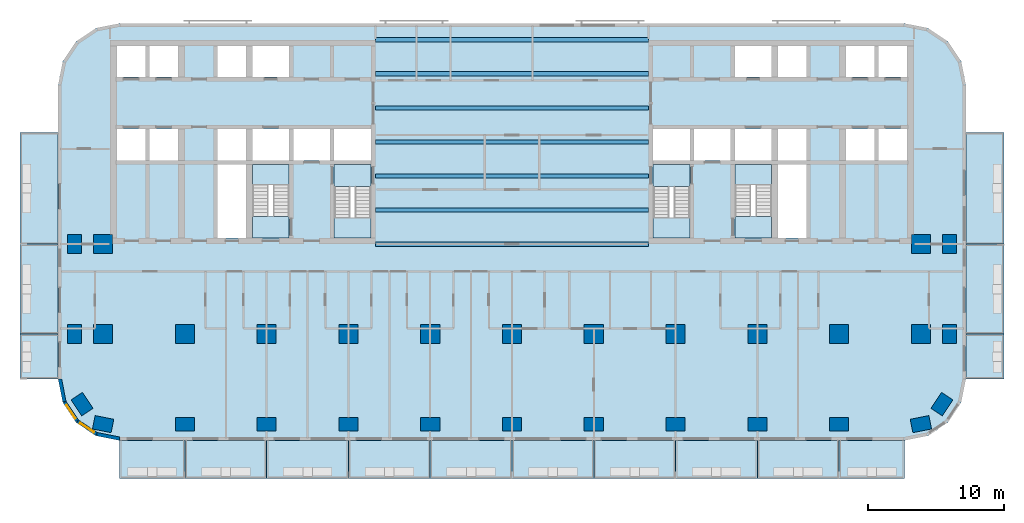
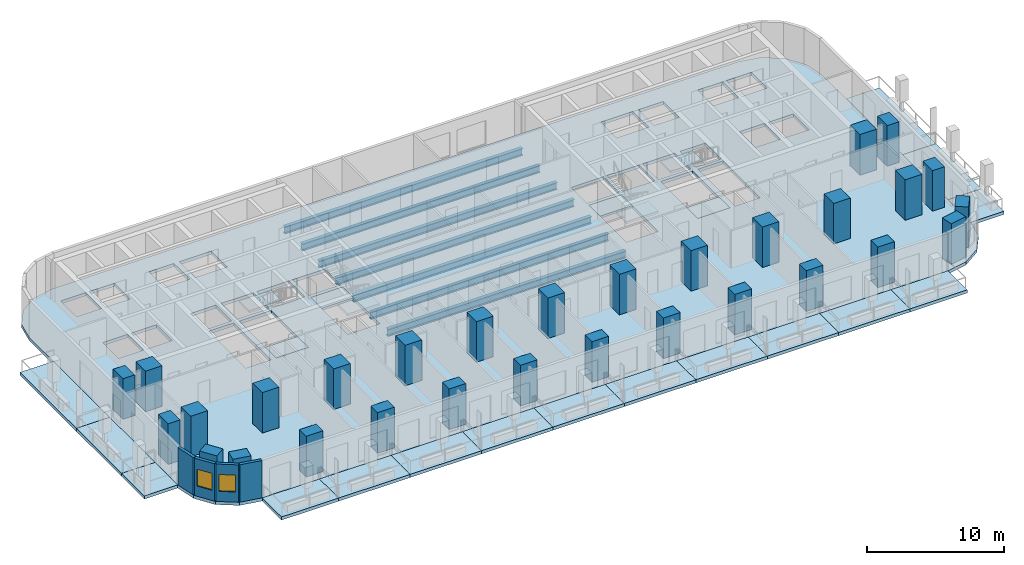
# One storey, part 1 of 13: 30 columns, 25 slabs, 7 beams, 4 walls, 2 windows, 2 openings, 4 elements without a shape of their own.
"""IFC4 building model written with IfcOpenShell, lengths in metres."""

from ifc_helpers import new_model, si_unit, direction, frame, frame_2d, origin, origin_2d, place, context, subcontext, project, spatial, polyline, rectangle, i_section, outline, extrude, material, layer, layer_set, material_profile, profile_set, type_object, element, fill, aggregate, save


model = new_model("IFC4")

# Units and contexts
model_context = context("Model", 3, precision=1e-05, world=origin(), true_north=direction((0.0, 1.0)))
body_context = subcontext(model_context, "Body", "Model", "MODEL_VIEW")
ifc_project = project(units=[si_unit("LENGTHUNIT", "METRE"), si_unit("AREAUNIT", "SQUARE_METRE"), si_unit("VOLUMEUNIT", "CUBIC_METRE"), si_unit("PLANEANGLEUNIT", "RADIAN"), si_unit("MASSUNIT", "GRAM", prefix="KILO")], contexts=[model_context])

# Site, building, storey
site_placement = place(None, origin())
site = spatial("IfcSite", under=ifc_project, at=site_placement, CompositionType="ELEMENT")
building_placement = place(site_placement, origin())
building = spatial("IfcBuilding", under=site, at=building_placement, Name="Torana Hotel and Residences", CompositionType="ELEMENT")
storey_placement = place(building_placement, frame((0.0, 0.0, 56.39990234375)))
storey = spatial("IfcBuildingStorey", under=building, at=storey_placement, Name="L13", CompositionType="ELEMENT", Elevation=56.39990234375)

# Columns
ifc_material_1 = material(Name="Concrete C70/85", Category="concrete")
ifc_material_profile_1 = material_profile(ifc_material_1, rectangle(XDim=1.39990234375, YDim=1.0, at=origin_2d()), Name="RC 1400x1000")
ifc_profile_set_1 = profile_set([ifc_material_profile_1], Name="Concrete C70/85")
column_type_1 = type_object("IfcColumnType", Name="COLUMN RC 1400x1000 C70/85", PredefinedType="COLUMN", material=ifc_profile_set_1)
for number, where, z_axis, x_axis, name in (
    (1, (-32.10009765625, -21.60009765625, 0.0), (0.0, 0.0, 1.0), (0.0, 1.0, 0.0), "Column L13"),
    (2, (-32.10009765625, -15.0, 0.0), (0.0, 0.0, 1.0), (0.0, 1.0, 0.0), "Column L13"),
    (3, (-31.5439453125, -26.73291015625, 0.0), (0.0, 0.0, 1.0), (-0.555584744817, 0.831459915646, 0.0), "Column L13"),
    (4, (-30.0, -28.199951171875, 0.0), (0.0, 0.0, 1.0), (-0.980792089743, 0.195056086032, 0.0), "Column L13"),
    (5, (-24.0, -28.199951171875, 0.0), (0.0, 0.0, 1.0), (1.0, 0.0, 0.0), "Column L13"),
    (6, (-18.0, -28.199951171875, 0.0), (0.0, 0.0, 1.0), (1.0, 0.0, 0.0), "Column L13"),
    (7, (-12.0, -28.199951171875, 0.0), (0.0, 0.0, 1.0), (1.0, 0.0, 0.0), "Column L13"),
    (8, (-6.0, -28.199951171875, 0.0), (0.0, 0.0, 1.0), (1.0, 0.0, 0.0), "Column L13"),
    (9, (0.0, -28.199951171875, 0.0), (0.0, 0.0, 1.0), (1.0, 0.0, 0.0), "Column L13"),
    (10, (6.0, -28.199951171875, 0.0), (0.0, 0.0, 1.0), (1.0, 0.0, 0.0), "Column L13"),
    (11, (12.0, -28.199951171875, 0.0), (0.0, 0.0, 1.0), (1.0, 0.0, 0.0), "Column L13"),
    (12, (18.0, -28.199951171875, 0.0), (0.0, 0.0, 1.0), (1.0, 0.0, 0.0), "Column L13"),
    (13, (24.0, -28.199951171875, 0.0), (0.0, 0.0, 1.0), (1.0, 0.0, 0.0), "Column L13"),
    (14, (30.0, -28.199951171875, 0.0), (0.0, 0.0, 1.0), (0.980792089743, 0.195056086032, 0.0), "Column L13"),
    (15, (31.5439453125, -26.73291015625, 0.0), (0.0, 0.0, 1.0), (0.555584744817, 0.831459915646, 0.0), "Column L13"),
    (16, (32.10009765625, -21.60009765625, 0.0), (0.0, 0.0, 1.0), (0.0, 1.0, 0.0), "Column L13"),
    (17, (32.10009765625, -15.0, 0.0), (0.0, 0.0, 1.0), (0.0, 1.0, 0.0), "Column L13"),
):
    element("IfcColumn", number, at=place(storey_placement, frame(where, z_axis=z_axis, x_axis=x_axis)), inside=storey, type_object=column_type_1, Name=name, PredefinedType="COLUMN", context=body_context, shape_type="SweptSolid", body=[
        extrude(rectangle(XDim=1.39990234375, YDim=1.0, at=origin_2d()), origin(), (0.0, 0.0, 1.0), 3.60009765625),
    ])
ifc_material_2 = material(Name="Concrete C70/85", Category="concrete")
ifc_material_profile_2 = material_profile(ifc_material_2, rectangle(XDim=1.39990234375, YDim=1.39990234375, at=origin_2d()), Name="RC 1400x1400")
ifc_profile_set_2 = profile_set([ifc_material_profile_2], Name="Concrete C70/85")
column_type_2 = type_object("IfcColumnType", Name="COLUMN RC 1400x1400 C70/85", PredefinedType="COLUMN", material=ifc_profile_set_2)
for number, where, z_axis, x_axis, name in (
    (18, (-30.0, -21.60009765625, 0.0), (0.0, 0.0, 1.0), (1.0, 0.0, 0.0), "Column L13"),
    (19, (-30.0, -15.0, 0.0), (0.0, 0.0, 1.0), (1.0, 0.0, 0.0), "Column L13"),
    (20, (-24.0, -21.60009765625, 0.0), (0.0, 0.0, 1.0), (1.0, 0.0, 0.0), "Column L13"),
    (21, (-18.0, -21.60009765625, 0.0), (0.0, 0.0, 1.0), (1.0, 0.0, 0.0), "Column L13"),
    (22, (-12.0, -21.60009765625, 0.0), (0.0, 0.0, 1.0), (1.0, 0.0, 0.0), "Column L13"),
    (23, (-6.0, -21.60009765625, 0.0), (0.0, 0.0, 1.0), (1.0, 0.0, 0.0), "Column L13"),
    (24, (0.0, -21.60009765625, 0.0), (0.0, 0.0, 1.0), (1.0, 0.0, 0.0), "Column L13"),
    (25, (6.0, -21.60009765625, 0.0), (0.0, 0.0, 1.0), (1.0, 0.0, 0.0), "Column L13"),
    (26, (12.0, -21.60009765625, 0.0), (0.0, 0.0, 1.0), (1.0, 0.0, 0.0), "Column L13"),
    (27, (18.0, -21.60009765625, 0.0), (0.0, 0.0, 1.0), (1.0, 0.0, 0.0), "Column L13"),
    (28, (24.0, -21.60009765625, 0.0), (0.0, 0.0, 1.0), (1.0, 0.0, 0.0), "Column L13"),
    (29, (30.0, -21.60009765625, 0.0), (0.0, 0.0, 1.0), (1.0, 0.0, 0.0), "Column L13"),
    (30, (30.0, -15.0, 0.0), (0.0, 0.0, 1.0), (1.0, 0.0, 0.0), "Column L13"),
):
    element("IfcColumn", number, at=place(storey_placement, frame(where, z_axis=z_axis, x_axis=x_axis)), inside=storey, type_object=column_type_2, Name=name, PredefinedType="COLUMN", context=body_context, shape_type="SweptSolid", body=[
        extrude(rectangle(XDim=1.39990234375, YDim=1.39990234375, at=origin_2d()), origin(), (0.0, 0.0, 1.0), 3.60009765625),
    ])

# Beams
ifc_material_3 = material(Name="Steel S355", Category="steel")
ifc_material_profile_3 = material_profile(ifc_material_3, i_section(OverallWidth=0.311279296875, OverallDepth=0.6357421875, WebThickness=0.018310546875, FlangeThickness=0.031494140625, FilletRadius=0.0166015625, at=origin_2d()), Name="610x305x238 UB")
ifc_profile_set_3 = profile_set([ifc_material_profile_3], Name="Steel S355")
beam_type = type_object("IfcBeamType", Name="STEEL GIRDER 610x305x238 UB", PredefinedType="BEAM", material=ifc_profile_set_3)
for number, where, z_axis, x_axis, name in (
    (31, (-10.0, -15.0, -0.597900390625), (1.0, 0.0, 0.0), (0.0, 1.0, 0.0), "Floor girder"),
    (32, (-10.0, -12.5, -0.597900390625), (1.0, 0.0, 0.0), (0.0, 1.0, 0.0), "Floor girder"),
    (33, (-10.0, -10.0, -0.597900390625), (1.0, 0.0, 0.0), (0.0, 1.0, 0.0), "Floor girder"),
    (34, (-10.0, -7.5, -0.597900390625), (1.0, 0.0, 0.0), (0.0, 1.0, 0.0), "Floor girder"),
    (35, (-10.0, -5.0, -0.597900390625), (1.0, 0.0, 0.0), (0.0, 1.0, 0.0), "Floor girder"),
    (36, (-10.0, -2.5, -0.597900390625), (1.0, 0.0, 0.0), (0.0, 1.0, 0.0), "Floor girder"),
    (37, (-10.0, 0.0, -0.597900390625), (1.0, 0.0, 0.0), (0.0, 1.0, 0.0), "Floor girder"),
):
    element("IfcBeam", number, at=place(storey_placement, frame(where, z_axis=z_axis, x_axis=x_axis)), inside=storey, type_object=beam_type, Name=name, PredefinedType="BEAM", context=body_context, shape_type="SweptSolid", body=[
        extrude(i_section(OverallWidth=0.311279296875, OverallDepth=0.6357421875, WebThickness=0.018310546875, FlangeThickness=0.031494140625, FilletRadius=0.0166015625, at=origin_2d()), origin(), (0.0, 0.0, 1.0), 20.0),
    ])

# Slabs
ifc_material_4 = material(Name="Concrete C40/50", Category="concrete")
ifc_layer_1 = layer(ifc_material_4, 0.280029296875)
ifc_layer_set_1 = layer_set([ifc_layer_1], Name="BAL1 BALCONY SLAB 280")
slab_type_1 = type_object("IfcSlabType", Name="BAL1 BALCONY SLAB 280", PredefinedType="USERDEFINED", material=ifc_layer_set_1)
slab_1_placement = place(storey_placement, frame((0.0, 0.0, -0.27978515625)))
element("IfcSlab", 38, at=slab_1_placement, inside=storey, type_object=slab_type_1, Name="Balcony 01", ObjectType="BALCONY", PredefinedType="USERDEFINED", context=body_context, shape_type="SweptSolid", body=[
    extrude(outline(polyline([(-28.800048828125, -32.199951171875), (-24.0, -32.199951171875), (-24.0, -29.39990234375), (-28.800048828125, -29.39990234375), (-28.800048828125, -32.199951171875)])), origin(), (0.0, 0.0, 1.0), 0.27978515625),
])
slab_2_placement = place(storey_placement, frame((0.0, 0.0, -0.27978515625)))
element("IfcSlab", 39, at=slab_2_placement, inside=storey, type_object=slab_type_1, Name="Balcony 02", ObjectType="BALCONY", PredefinedType="USERDEFINED", context=body_context, shape_type="SweptSolid", body=[
    extrude(outline(polyline([(-24.0, -32.199951171875), (-18.0, -32.199951171875), (-18.0, -29.39990234375), (-24.0, -29.39990234375), (-24.0, -32.199951171875)])), origin(), (0.0, 0.0, 1.0), 0.27978515625),
])
slab_3_placement = place(storey_placement, frame((0.0, 0.0, -0.27978515625)))
element("IfcSlab", 40, at=slab_3_placement, inside=storey, type_object=slab_type_1, Name="Balcony 03", ObjectType="BALCONY", PredefinedType="USERDEFINED", context=body_context, shape_type="SweptSolid", body=[
    extrude(outline(polyline([(-18.0, -32.199951171875), (-12.0, -32.199951171875), (-12.0, -29.39990234375), (-18.0, -29.39990234375), (-18.0, -32.199951171875)])), origin(), (0.0, 0.0, 1.0), 0.27978515625),
])
slab_4_placement = place(storey_placement, frame((0.0, 0.0, -0.27978515625)))
element("IfcSlab", 41, at=slab_4_placement, inside=storey, type_object=slab_type_1, Name="Balcony 04", ObjectType="BALCONY", PredefinedType="USERDEFINED", context=body_context, shape_type="SweptSolid", body=[
    extrude(outline(polyline([(-12.0, -32.199951171875), (-6.0, -32.199951171875), (-6.0, -29.39990234375), (-12.0, -29.39990234375), (-12.0, -32.199951171875)])), origin(), (0.0, 0.0, 1.0), 0.27978515625),
])
slab_5_placement = place(storey_placement, frame((0.0, 0.0, -0.27978515625)))
element("IfcSlab", 42, at=slab_5_placement, inside=storey, type_object=slab_type_1, Name="Balcony 05", ObjectType="BALCONY", PredefinedType="USERDEFINED", context=body_context, shape_type="SweptSolid", body=[
    extrude(outline(polyline([(-6.0, -32.199951171875), (0.0, -32.199951171875), (0.0, -29.39990234375), (-6.0, -29.39990234375), (-6.0, -32.199951171875)])), origin(), (0.0, 0.0, 1.0), 0.27978515625),
])
slab_6_placement = place(storey_placement, frame((0.0, 0.0, -0.27978515625)))
element("IfcSlab", 43, at=slab_6_placement, inside=storey, type_object=slab_type_1, Name="Balcony 06", ObjectType="BALCONY", PredefinedType="USERDEFINED", context=body_context, shape_type="SweptSolid", body=[
    extrude(outline(polyline([(0.0, -32.199951171875), (6.0, -32.199951171875), (6.0, -29.39990234375), (0.0, -29.39990234375), (0.0, -32.199951171875)])), origin(), (0.0, 0.0, 1.0), 0.27978515625),
])
slab_7_placement = place(storey_placement, frame((0.0, 0.0, -0.27978515625)))
element("IfcSlab", 44, at=slab_7_placement, inside=storey, type_object=slab_type_1, Name="Balcony 07", ObjectType="BALCONY", PredefinedType="USERDEFINED", context=body_context, shape_type="SweptSolid", body=[
    extrude(outline(polyline([(6.0, -32.199951171875), (12.0, -32.199951171875), (12.0, -29.39990234375), (6.0, -29.39990234375), (6.0, -32.199951171875)])), origin(), (0.0, 0.0, 1.0), 0.27978515625),
])
slab_8_placement = place(storey_placement, frame((0.0, 0.0, -0.27978515625)))
element("IfcSlab", 45, at=slab_8_placement, inside=storey, type_object=slab_type_1, Name="Balcony 08", ObjectType="BALCONY", PredefinedType="USERDEFINED", context=body_context, shape_type="SweptSolid", body=[
    extrude(outline(polyline([(12.0, -32.199951171875), (18.0, -32.199951171875), (18.0, -29.39990234375), (12.0, -29.39990234375), (12.0, -32.199951171875)])), origin(), (0.0, 0.0, 1.0), 0.27978515625),
])
slab_9_placement = place(storey_placement, frame((0.0, 0.0, -0.27978515625)))
element("IfcSlab", 46, at=slab_9_placement, inside=storey, type_object=slab_type_1, Name="Balcony 09", ObjectType="BALCONY", PredefinedType="USERDEFINED", context=body_context, shape_type="SweptSolid", body=[
    extrude(outline(polyline([(18.0, -32.199951171875), (24.0, -32.199951171875), (24.0, -29.39990234375), (18.0, -29.39990234375), (18.0, -32.199951171875)])), origin(), (0.0, 0.0, 1.0), 0.27978515625),
])
slab_10_placement = place(storey_placement, frame((0.0, 0.0, -0.27978515625)))
element("IfcSlab", 47, at=slab_10_placement, inside=storey, type_object=slab_type_1, Name="Balcony 10", ObjectType="BALCONY", PredefinedType="USERDEFINED", context=body_context, shape_type="SweptSolid", body=[
    extrude(outline(polyline([(24.0, -32.199951171875), (28.800048828125, -32.199951171875), (28.800048828125, -29.39990234375), (24.0, -29.39990234375), (24.0, -32.199951171875)])), origin(), (0.0, 0.0, 1.0), 0.27978515625),
])
slab_11_placement = place(storey_placement, frame((0.0, 0.0, -0.27978515625)))
element("IfcSlab", 48, at=slab_11_placement, inside=storey, type_object=slab_type_1, Name="Balcony 11", ObjectType="BALCONY", PredefinedType="USERDEFINED", context=body_context, shape_type="SweptSolid", body=[
    extrude(outline(polyline([(-36.10009765625, -24.89990234375), (-33.300048828125, -24.89990234375), (-33.300048828125, -21.60009765625), (-36.10009765625, -21.60009765625), (-36.10009765625, -24.89990234375)])), origin(), (0.0, 0.0, 1.0), 0.27978515625),
])
slab_12_placement = place(storey_placement, frame((0.0, 0.0, -0.27978515625)))
element("IfcSlab", 49, at=slab_12_placement, inside=storey, type_object=slab_type_1, Name="Balcony 12", ObjectType="BALCONY", PredefinedType="USERDEFINED", context=body_context, shape_type="SweptSolid", body=[
    extrude(outline(polyline([(-36.10009765625, -21.60009765625), (-33.300048828125, -21.60009765625), (-33.300048828125, -15.0), (-36.10009765625, -15.0), (-36.10009765625, -21.60009765625)])), origin(), (0.0, 0.0, 1.0), 0.27978515625),
])
slab_13_placement = place(storey_placement, frame((0.0, 0.0, -0.27978515625)))
element("IfcSlab", 50, at=slab_13_placement, inside=storey, type_object=slab_type_1, Name="Balcony 13", ObjectType="BALCONY", PredefinedType="USERDEFINED", context=body_context, shape_type="SweptSolid", body=[
    extrude(outline(polyline([(-36.10009765625, -15.0), (-33.300048828125, -15.0), (-33.300048828125, -6.800048828125), (-36.10009765625, -6.800048828125), (-36.10009765625, -15.0)])), origin(), (0.0, 0.0, 1.0), 0.27978515625),
])
slab_14_placement = place(storey_placement, frame((0.0, 0.0, -0.27978515625)))
element("IfcSlab", 51, at=slab_14_placement, inside=storey, type_object=slab_type_1, Name="Balcony 14", ObjectType="BALCONY", PredefinedType="USERDEFINED", context=body_context, shape_type="SweptSolid", body=[
    extrude(outline(polyline([(33.300048828125, -24.89990234375), (36.10009765625, -24.89990234375), (36.10009765625, -21.60009765625), (33.300048828125, -21.60009765625), (33.300048828125, -24.89990234375)])), origin(), (0.0, 0.0, 1.0), 0.27978515625),
])
slab_15_placement = place(storey_placement, frame((0.0, 0.0, -0.27978515625)))
element("IfcSlab", 52, at=slab_15_placement, inside=storey, type_object=slab_type_1, Name="Balcony 15", ObjectType="BALCONY", PredefinedType="USERDEFINED", context=body_context, shape_type="SweptSolid", body=[
    extrude(outline(polyline([(33.300048828125, -21.60009765625), (36.10009765625, -21.60009765625), (36.10009765625, -15.0), (33.300048828125, -15.0), (33.300048828125, -21.60009765625)])), origin(), (0.0, 0.0, 1.0), 0.27978515625),
])
slab_16_placement = place(storey_placement, frame((0.0, 0.0, -0.27978515625)))
element("IfcSlab", 53, at=slab_16_placement, inside=storey, type_object=slab_type_1, Name="Balcony 16", ObjectType="BALCONY", PredefinedType="USERDEFINED", context=body_context, shape_type="SweptSolid", body=[
    extrude(outline(polyline([(33.300048828125, -15.0), (36.10009765625, -15.0), (36.10009765625, -6.800048828125), (33.300048828125, -6.800048828125), (33.300048828125, -15.0)])), origin(), (0.0, 0.0, 1.0), 0.27978515625),
])
ifc_material_5 = material(Name="Concrete C40/50", Category="concrete")
ifc_layer_2 = layer(ifc_material_5, 0.280029296875)
ifc_layer_set_2 = layer_set([ifc_layer_2], Name="FLOOR SLAB PT 280")
slab_type_2 = type_object("IfcSlabType", Name="FLOOR SLAB PT 280", PredefinedType="FLOOR", material=ifc_layer_set_2)
slab_17_placement = place(storey_placement, frame((0.0, 0.0, -0.27978515625)))
element("IfcSlab", 54, at=slab_17_placement, inside=storey, type_object=slab_type_2, Name="Floor slab", PredefinedType="FLOOR", context=body_context, shape_type="SweptSolid", body=[
    extrude(outline(polyline([(33.300048828125, -3.300048828125), (32.95751953125, -1.577880859375), (31.98193359375, -0.117919921875), (30.522216796875, 0.857421875), (28.800048828125, 1.199951171875), (-28.800048828125, 1.199951171875), (-30.522216796875, 0.857421875), (-31.98193359375, -0.117919921875), (-32.95751953125, -1.577880859375), (-33.300048828125, -3.300048828125), (-33.300048828125, -24.89990234375), (-32.95751953125, -26.6220703125), (-31.98193359375, -28.08203125), (-30.522216796875, -29.0576171875), (-28.800048828125, -29.39990234375), (28.800048828125, -29.39990234375), (30.522216796875, -29.0576171875), (31.98193359375, -28.08203125), (32.95751953125, -26.6220703125), (33.300048828125, -24.89990234375), (33.300048828125, -3.300048828125)]), holes=[polyline([(-13.050048828125, -14.550048828125), (-10.35009765625, -14.550048828125), (-10.35009765625, -9.14990234375), (-13.050048828125, -9.14990234375), (-13.050048828125, -14.550048828125)]), polyline([(-19.050048828125, -14.550048828125), (-16.35009765625, -14.550048828125), (-16.35009765625, -9.14990234375), (-19.050048828125, -9.14990234375), (-19.050048828125, -14.550048828125)]), polyline([(-19.050048828125, -2.75), (-16.35009765625, -2.75), (-16.35009765625, -0.449951171875), (-19.050048828125, -0.449951171875), (-19.050048828125, -2.75)]), polyline([(-26.60009765625, -2.75), (-24.5, -2.75), (-24.5, -0.449951171875), (-26.60009765625, -0.449951171875), (-26.60009765625, -2.75)]), polyline([(-29.0, -2.75), (-26.89990234375, -2.75), (-26.89990234375, -0.449951171875), (-29.0, -0.449951171875), (-29.0, -2.75)]), polyline([(-26.60009765625, -8.85009765625), (-24.5, -8.85009765625), (-24.5, -6.550048828125), (-26.60009765625, -6.550048828125), (-26.60009765625, -8.85009765625)]), polyline([(-29.0, -8.85009765625), (-26.89990234375, -8.85009765625), (-26.89990234375, -6.550048828125), (-29.0, -6.550048828125), (-29.0, -8.85009765625)]), polyline([(-21.60009765625, -2.75), (-19.5, -2.75), (-19.5, -0.449951171875), (-21.60009765625, -0.449951171875), (-21.60009765625, -2.75)]), polyline([(-21.60009765625, -8.85009765625), (-19.5, -8.85009765625), (-19.5, -6.550048828125), (-21.60009765625, -6.550048828125), (-21.60009765625, -8.85009765625)]), polyline([(-13.050048828125, -8.85009765625), (-10.35009765625, -8.85009765625), (-10.35009765625, -6.550048828125), (-13.050048828125, -6.550048828125), (-13.050048828125, -8.85009765625)]), polyline([(-16.050048828125, -8.85009765625), (-13.35009765625, -8.85009765625), (-13.35009765625, -6.550048828125), (-16.050048828125, -6.550048828125), (-16.050048828125, -8.85009765625)]), polyline([(-19.050048828125, -8.85009765625), (-16.35009765625, -8.85009765625), (-16.35009765625, -6.550048828125), (-19.050048828125, -6.550048828125), (-19.050048828125, -8.85009765625)]), polyline([(-21.60009765625, -14.550048828125), (-19.5, -14.550048828125), (-19.5, -9.14990234375), (-21.60009765625, -9.14990234375), (-21.60009765625, -14.550048828125)]), polyline([(10.35009765625, -14.550048828125), (13.050048828125, -14.550048828125), (13.050048828125, -9.14990234375), (10.35009765625, -9.14990234375), (10.35009765625, -14.550048828125)]), polyline([(16.35009765625, -14.550048828125), (19.050048828125, -14.550048828125), (19.050048828125, -9.14990234375), (16.35009765625, -9.14990234375), (16.35009765625, -14.550048828125)]), polyline([(16.35009765625, -2.75), (19.050048828125, -2.75), (19.050048828125, -0.449951171875), (16.35009765625, -0.449951171875), (16.35009765625, -2.75)]), polyline([(24.5, -2.75), (26.60009765625, -2.75), (26.60009765625, -0.449951171875), (24.5, -0.449951171875), (24.5, -2.75)]), polyline([(26.89990234375, -2.75), (29.0, -2.75), (29.0, -0.449951171875), (26.89990234375, -0.449951171875), (26.89990234375, -2.75)]), polyline([(24.5, -8.85009765625), (26.60009765625, -8.85009765625), (26.60009765625, -6.550048828125), (24.5, -6.550048828125), (24.5, -8.85009765625)]), polyline([(26.89990234375, -8.85009765625), (29.0, -8.85009765625), (29.0, -6.550048828125), (26.89990234375, -6.550048828125), (26.89990234375, -8.85009765625)]), polyline([(19.5, -2.75), (21.60009765625, -2.75), (21.60009765625, -0.449951171875), (19.5, -0.449951171875), (19.5, -2.75)]), polyline([(19.5, -8.85009765625), (21.60009765625, -8.85009765625), (21.60009765625, -6.550048828125), (19.5, -6.550048828125), (19.5, -8.85009765625)]), polyline([(10.35009765625, -8.85009765625), (13.050048828125, -8.85009765625), (13.050048828125, -6.550048828125), (10.35009765625, -6.550048828125), (10.35009765625, -8.85009765625)]), polyline([(13.35009765625, -8.85009765625), (16.050048828125, -8.85009765625), (16.050048828125, -6.550048828125), (13.35009765625, -6.550048828125), (13.35009765625, -8.85009765625)]), polyline([(16.35009765625, -8.85009765625), (19.050048828125, -8.85009765625), (19.050048828125, -6.550048828125), (16.35009765625, -6.550048828125), (16.35009765625, -8.85009765625)]), polyline([(19.5, -14.550048828125), (21.60009765625, -14.550048828125), (21.60009765625, -9.14990234375), (19.5, -9.14990234375), (19.5, -14.550048828125)])]), origin(), (0.0, 0.0, 1.0), 0.27978515625),
])

# Stair, slabs
ifc_material_6 = material(Name="Concrete C40/50 precast", Category="concrete")
stair_type_1 = type_object("IfcStairType", Name="STAIR ST1 HALF TURN 1200", PredefinedType="HALF_TURN_STAIR", material=ifc_material_6)
stair_1_placement = place(storey_placement, origin())
stair_1 = element("IfcStair", 55, at=stair_1_placement, inside=storey, type_object=stair_type_1, Name="Stair ST1 L13", PredefinedType="HALF_TURN_STAIR")
ifc_material_7 = material(Name="Concrete C40/50 precast", Category="concrete")
ifc_layer_3 = layer(ifc_material_7, 0.199951171875)
ifc_layer_set_3 = layer_set([ifc_layer_3], Name="STAIR LANDING 200")
slab_type_3 = type_object("IfcSlabType", Name="STAIR LANDING 200", PredefinedType="LANDING", material=ifc_layer_set_3)
slab_18_placement = place(storey_placement, frame((0.0, 0.0, 1.60009765625)))
slab_18 = element("IfcSlab", 56, at=slab_18_placement, type_object=slab_type_3, Name="ST1 landing 1", PredefinedType="LANDING", context=body_context, shape_type="SweptSolid", body=[
    extrude(outline(polyline([(-13.050048828125, -14.550048828125), (-10.35009765625, -14.550048828125), (-10.35009765625, -13.090087890625), (-13.050048828125, -13.090087890625), (-13.050048828125, -14.550048828125)])), origin(), (0.0, 0.0, 1.0), 0.199951171875),
])
slab_19_placement = place(storey_placement, frame((0.0, 0.0, -0.199951171875)))
slab_19 = element("IfcSlab", 57, at=slab_19_placement, type_object=slab_type_3, Name="ST1 landing 2", PredefinedType="LANDING", context=body_context, shape_type="SweptSolid", body=[
    extrude(outline(polyline([(-13.050048828125, -10.75), (-10.35009765625, -10.75), (-10.35009765625, -9.14990234375), (-13.050048828125, -9.14990234375), (-13.050048828125, -10.75)])), origin(), (0.0, 0.0, 1.0), 0.199951171875),
])
aggregate(stair_1, [slab_18, slab_19])

ifc_material_8 = material(Name="Concrete C40/50 precast", Category="concrete")
stair_type_2 = type_object("IfcStairType", Name="STAIR ST2 HALF TURN 1200", PredefinedType="HALF_TURN_STAIR", material=ifc_material_8)
stair_2_placement = place(storey_placement, origin())
stair_2 = element("IfcStair", 58, at=stair_2_placement, inside=storey, type_object=stair_type_2, Name="Stair ST2 L13", PredefinedType="HALF_TURN_STAIR")
slab_20_placement = place(storey_placement, frame((0.0, 0.0, 1.60009765625)))
slab_20 = element("IfcSlab", 59, at=slab_20_placement, type_object=slab_type_3, Name="ST2 landing 1", PredefinedType="LANDING", context=body_context, shape_type="SweptSolid", body=[
    extrude(outline(polyline([(-19.050048828125, -10.610107421875), (-16.35009765625, -10.610107421875), (-16.35009765625, -9.14990234375), (-19.050048828125, -9.14990234375), (-19.050048828125, -10.610107421875)])), origin(), (0.0, 0.0, 1.0), 0.199951171875),
])
slab_21_placement = place(storey_placement, frame((0.0, 0.0, -0.199951171875)))
slab_21 = element("IfcSlab", 60, at=slab_21_placement, type_object=slab_type_3, Name="ST2 landing 2", PredefinedType="LANDING", context=body_context, shape_type="SweptSolid", body=[
    extrude(outline(polyline([(-19.050048828125, -14.550048828125), (-16.35009765625, -14.550048828125), (-16.35009765625, -12.949951171875), (-19.050048828125, -12.949951171875), (-19.050048828125, -14.550048828125)])), origin(), (0.0, 0.0, 1.0), 0.199951171875),
])
aggregate(stair_2, [slab_20, slab_21])

ifc_material_9 = material(Name="Concrete C40/50 precast", Category="concrete")
stair_type_3 = type_object("IfcStairType", Name="STAIR ST3 HALF TURN 1200", PredefinedType="HALF_TURN_STAIR", material=ifc_material_9)
stair_3_placement = place(storey_placement, origin())
stair_3 = element("IfcStair", 61, at=stair_3_placement, inside=storey, type_object=stair_type_3, Name="Stair ST3 L13", PredefinedType="HALF_TURN_STAIR")
slab_22_placement = place(storey_placement, frame((0.0, 0.0, 1.60009765625)))
slab_22 = element("IfcSlab", 62, at=slab_22_placement, type_object=slab_type_3, Name="ST3 landing 1", PredefinedType="LANDING", context=body_context, shape_type="SweptSolid", body=[
    extrude(outline(polyline([(10.35009765625, -14.550048828125), (13.050048828125, -14.550048828125), (13.050048828125, -13.090087890625), (10.35009765625, -13.090087890625), (10.35009765625, -14.550048828125)])), origin(), (0.0, 0.0, 1.0), 0.199951171875),
])
slab_23_placement = place(storey_placement, frame((0.0, 0.0, -0.199951171875)))
slab_23 = element("IfcSlab", 63, at=slab_23_placement, type_object=slab_type_3, Name="ST3 landing 2", PredefinedType="LANDING", context=body_context, shape_type="SweptSolid", body=[
    extrude(outline(polyline([(10.35009765625, -10.75), (13.050048828125, -10.75), (13.050048828125, -9.14990234375), (10.35009765625, -9.14990234375), (10.35009765625, -10.75)])), origin(), (0.0, 0.0, 1.0), 0.199951171875),
])
aggregate(stair_3, [slab_22, slab_23])

ifc_material_10 = material(Name="Concrete C40/50 precast", Category="concrete")
stair_type_4 = type_object("IfcStairType", Name="STAIR ST4 HALF TURN 1200", PredefinedType="HALF_TURN_STAIR", material=ifc_material_10)
stair_4_placement = place(storey_placement, origin())
stair_4 = element("IfcStair", 64, at=stair_4_placement, inside=storey, type_object=stair_type_4, Name="Stair ST4 L13", PredefinedType="HALF_TURN_STAIR")
slab_24_placement = place(storey_placement, frame((0.0, 0.0, 1.60009765625)))
slab_24 = element("IfcSlab", 65, at=slab_24_placement, type_object=slab_type_3, Name="ST4 landing 1", PredefinedType="LANDING", context=body_context, shape_type="SweptSolid", body=[
    extrude(outline(polyline([(16.35009765625, -10.610107421875), (19.050048828125, -10.610107421875), (19.050048828125, -9.14990234375), (16.35009765625, -9.14990234375), (16.35009765625, -10.610107421875)])), origin(), (0.0, 0.0, 1.0), 0.199951171875),
])
slab_25_placement = place(storey_placement, frame((0.0, 0.0, -0.199951171875)))
slab_25 = element("IfcSlab", 66, at=slab_25_placement, type_object=slab_type_3, Name="ST4 landing 2", PredefinedType="LANDING", context=body_context, shape_type="SweptSolid", body=[
    extrude(outline(polyline([(16.35009765625, -14.550048828125), (19.050048828125, -14.550048828125), (19.050048828125, -12.949951171875), (16.35009765625, -12.949951171875), (16.35009765625, -14.550048828125)])), origin(), (0.0, 0.0, 1.0), 0.199951171875),
])
aggregate(stair_4, [slab_24, slab_25])

# Wall
ifc_material_11 = material(Name="Black aluminium composite panel", Category="aluminium")
ifc_layer_4 = layer(ifc_material_11, 0.00390625, Name="Cladding", Category="cladding")
ifc_material_12 = material(Name="Ventilated air cavity")
ifc_layer_5 = layer(ifc_material_12, 0.0400390625, Name="Ventilated cavity", Category="cavity")
ifc_material_13 = material(Name="Mineral wool insulation")
ifc_layer_6 = layer(ifc_material_13, 0.090087890625, Name="Insulation", Category="insulation")
ifc_material_14 = material(Name="Steel S280GD", Category="steel")
ifc_layer_7 = layer(ifc_material_14, 0.092041015625, Name="Steel stud frame", Category="structure")
ifc_material_15 = material(Name="Fire rated plasterboard")
ifc_layer_8 = layer(ifc_material_15, 0.011962890625, Name="Inner board", Category="finish")
ifc_layer_9 = layer(ifc_material_15, 0.011962890625, Name="Second board", Category="finish")
ifc_layer_set_4 = layer_set([ifc_layer_4, ifc_layer_5, ifc_layer_6, ifc_layer_7, ifc_layer_8, ifc_layer_9], Name="EW1 EXTERNAL WALL BLACK METAL CLAD 250")
wall_type = type_object("IfcWallType", Name="EW1 EXTERNAL WALL BLACK METAL CLAD 250", PredefinedType="SOLIDWALL", material=ifc_layer_set_4)
wall_1_placement = place(storey_placement, frame((-33.172607421875, -24.89990234375, 0.0), z_axis=(0.0, 0.0, 1.0), x_axis=(0.195166572128, -0.980770110232, 0.0)))
element("IfcWall", 67, at=wall_1_placement, inside=storey, type_object=wall_type, Name="External wall L13 e0.10", PredefinedType="SOLIDWALL", context=body_context, shape_type="SweptSolid", body=[
    extrude(rectangle(XDim=1.68115234375, YDim=0.25, at=frame_2d((0.840576171875, 0.0))), origin(), (0.0, 0.0, 1.0), 3.320068359375),
])

# Wall, opening, window
wall_2_placement = place(storey_placement, frame((-32.825927734375, -26.593994140625, 0.0), z_axis=(0.0, 0.0, 1.0), x_axis=(0.55555029066, -0.831482937015, 0.0)))
wall_2 = element("IfcWall", 68, at=wall_2_placement, inside=storey, type_object=wall_type, Name="External wall L13 e0.11", PredefinedType="SOLIDWALL", context=body_context, shape_type="SweptSolid", body=[
    extrude(rectangle(XDim=1.65625, YDim=0.25, at=frame_2d((0.828125, 0.0))), origin(), (0.0, 0.0, 1.0), 3.320068359375),
])
opening_1_placement = place(wall_2_placement, frame((0.228271484375, 0.0, 0.89990234375)))
opening_1 = element("IfcOpeningElement", 69, at=opening_1_placement, cuts=wall_2, Name="Opening W5", PredefinedType="OPENING", context=body_context, shape_type="SweptSolid", body=[
    extrude(rectangle(XDim=1.199951171875, YDim=1.5, at=frame_2d((0.60009765625, 0.75))), frame((0.0, 0.135009765625, 0.0), z_axis=(0.0, -1.0, 0.0), x_axis=(1.0, 0.0, 0.0)), (0.0, 0.0, 1.0), 0.27001953125),
])
ifc_material_16 = material(Name="Dark glass in black aluminium frame", Category="aluminium")
window_type = type_object("IfcWindowType", Name="W5 CORNER FACET WINDOW 1200x1500", PartitioningType="SINGLE_PANEL", PredefinedType="WINDOW", material=ifc_material_16)
window_1_placement = place(opening_1_placement, origin())
window_1 = element("IfcWindow", 70, at=window_1_placement, inside=storey, type_object=window_type, Name="Window L13 e0.11", OverallHeight=1.5, OverallWidth=1.199951171875, PartitioningType="SINGLE_PANEL", PredefinedType="WINDOW", context=body_context, shape_type="SweptSolid", body=[
    extrude(rectangle(XDim=1.199951171875, YDim=1.5, at=frame_2d((0.60009765625, 0.75))), frame((0.0, 0.030029296875, 0.0), z_axis=(0.0, -1.0, 0.0), x_axis=(1.0, 0.0, 0.0)), (0.0, 0.0, 1.0), 0.06005859375),
])
fill(opening_1, window_1)

wall_3_placement = place(storey_placement, frame((-31.87109375, -28.005615234375, 0.0), z_axis=(0.0, 0.0, 1.0), x_axis=(0.831482937015, -0.55555029066, 0.0)))
wall_3 = element("IfcWall", 71, at=wall_3_placement, inside=storey, type_object=wall_type, Name="External wall L13 e0.12", PredefinedType="SOLIDWALL", context=body_context, shape_type="SweptSolid", body=[
    extrude(rectangle(XDim=1.65625, YDim=0.25, at=frame_2d((0.828125, 0.0))), origin(), (0.0, 0.0, 1.0), 3.320068359375),
])
opening_2_placement = place(wall_3_placement, frame((0.228271484375, 0.0, 0.89990234375)))
opening_2 = element("IfcOpeningElement", 72, at=opening_2_placement, cuts=wall_3, Name="Opening W5", PredefinedType="OPENING", context=body_context, shape_type="SweptSolid", body=[
    extrude(rectangle(XDim=1.199951171875, YDim=1.5, at=frame_2d((0.60009765625, 0.75))), frame((0.0, 0.135009765625, 0.0), z_axis=(0.0, -1.0, 0.0), x_axis=(1.0, 0.0, 0.0)), (0.0, 0.0, 1.0), 0.27001953125),
])
window_2_placement = place(opening_2_placement, origin())
window_2 = element("IfcWindow", 73, at=window_2_placement, inside=storey, type_object=window_type, Name="Window L13 e0.12", OverallHeight=1.5, OverallWidth=1.199951171875, PartitioningType="SINGLE_PANEL", PredefinedType="WINDOW", context=body_context, shape_type="SweptSolid", body=[
    extrude(rectangle(XDim=1.199951171875, YDim=1.5, at=frame_2d((0.60009765625, 0.75))), frame((0.0, 0.030029296875, 0.0), z_axis=(0.0, -1.0, 0.0), x_axis=(1.0, 0.0, 0.0)), (0.0, 0.0, 1.0), 0.06005859375),
])
fill(opening_2, window_2)

# Wall
wall_4_placement = place(storey_placement, frame((-30.448974609375, -28.944580078125, 0.0), z_axis=(0.0, 0.0, 1.0), x_axis=(0.980775640221, -0.19513878023, 0.0)))
element("IfcWall", 74, at=wall_4_placement, inside=storey, type_object=wall_type, Name="External wall L13 e0.13", PredefinedType="SOLIDWALL", context=body_context, shape_type="SweptSolid", body=[
    extrude(rectangle(XDim=1.681396484375, YDim=0.25, at=frame_2d((0.8408203125, 0.0))), origin(), (0.0, 0.0, 1.0), 3.320068359375),
])

save(model, "model.ifc")
